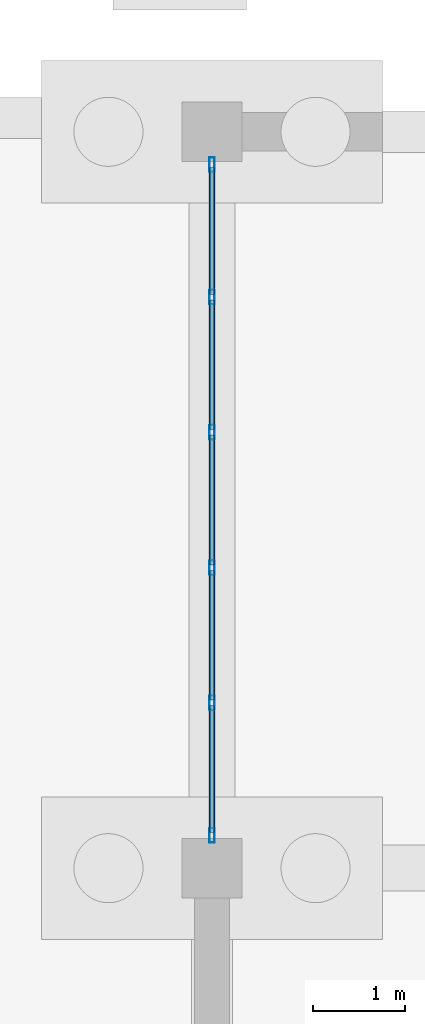
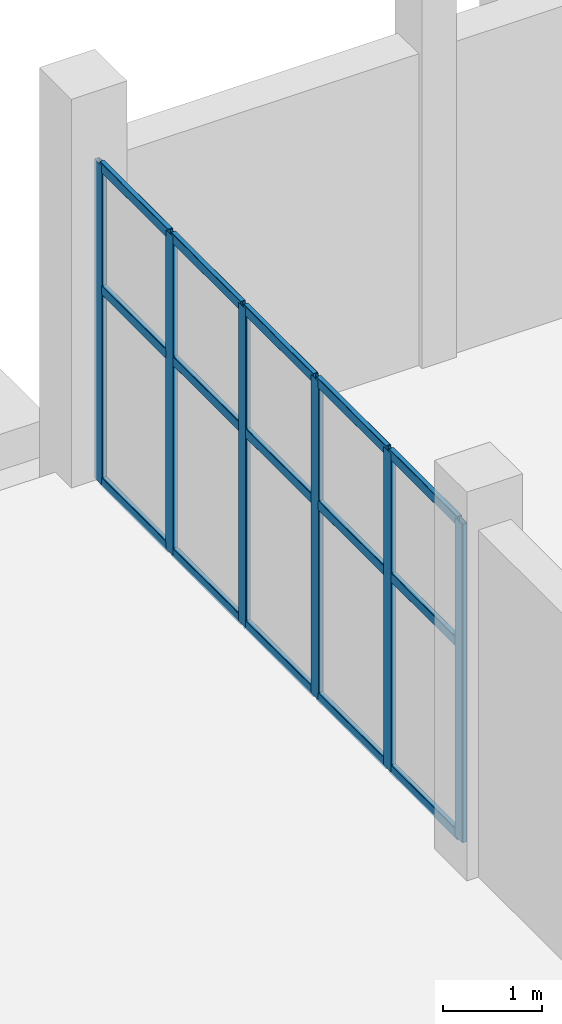
# One storey, part 21 of 52: 21 members, 1 element without a shape of its own.
"""IFC4 building model written with IfcOpenShell, lengths in metres."""

from ifc_helpers import new_model, si_unit, direction, frame, origin, origin_2d, place, context, subcontext, project, spatial, hollow_rectangle, extrude, material, material_profile, profile_set, type_object, element, aggregate, save


model = new_model("IFC4")

# Units and contexts
model_context = context("Model", 3, precision=1e-05, world=origin(), true_north=direction((0.0, 1.0)))
body_context = subcontext(model_context, "Body", "Model", "MODEL_VIEW")
ifc_project = project(units=[si_unit("LENGTHUNIT", "METRE"), si_unit("AREAUNIT", "SQUARE_METRE"), si_unit("VOLUMEUNIT", "CUBIC_METRE"), si_unit("PLANEANGLEUNIT", "RADIAN"), si_unit("MASSUNIT", "GRAM", prefix="KILO")], contexts=[model_context])

# Site, building, storey
site_placement = place(None, origin())
site = spatial("IfcSite", under=ifc_project, at=site_placement, CompositionType="ELEMENT")
building_placement = place(site_placement, origin())
building = spatial("IfcBuilding", under=site, at=building_placement, Name="Luwemba Playhouse", CompositionType="ELEMENT")
storey_placement = place(building_placement, frame((0.0, 0.0, -4.800048828125)))
storey = spatial("IfcBuildingStorey", under=building, at=storey_placement, Name="B1", CompositionType="ELEMENT", Elevation=-4.800048828125)

# Curtain wall, members
ifc_material_1 = material(Name="Solar-control double glazing", Category="glass")
curtain_wall_type = type_object("IfcCurtainWallType", Name="CW-CW04", PredefinedType="USERDEFINED", material=ifc_material_1)
curtain_wall_placement = place(storey_placement, origin())
curtain_wall = element("IfcCurtainWall", 1, at=curtain_wall_placement, inside=storey, type_object=curtain_wall_type, Name="B1 Sunken Forecourt curtain wall 004", ObjectType="UNITISED GLAZING", PredefinedType="USERDEFINED")
ifc_material_2 = material(Name="Aluminium 6063-T6", Category="aluminium")
ifc_material_profile_1 = material_profile(ifc_material_2, hollow_rectangle(XDim=0.06005859375, YDim=0.159912109375, WallThickness=0.00390625, InnerFilletRadius=0.006103515625, OuterFilletRadius=0.010009765625, at=origin_2d()))
ifc_profile_set_1 = profile_set([ifc_material_profile_1], Name="Aluminium 6063-T6")
member_type_1 = type_object("IfcMemberType", Name="CWM-M1", PredefinedType="MULLION", material=ifc_profile_set_1)
member_1_placement = place(storey_placement, frame((116.0, 19.35498046875, 0.0), z_axis=(0.0, 0.0, 1.0), x_axis=(-1.0, 0.0, 0.0)))
member_1 = element("IfcMember", 2, at=member_1_placement, type_object=member_type_1, Name="CW04 mullion 1", PredefinedType="MULLION", context=body_context, shape_type="SweptSolid", body=[
    extrude(hollow_rectangle(XDim=0.06005859375, YDim=0.159912109375, WallThickness=0.00390625, InnerFilletRadius=0.006103515625, OuterFilletRadius=0.010009765625, at=origin_2d()), origin(), (0.0, 0.0, 1.0), 3.93505859375),
])
member_2_placement = place(storey_placement, frame((116.0, 20.794921875, 0.0), z_axis=(0.0, 0.0, 1.0), x_axis=(-1.0, 0.0, 0.0)))
member_2 = element("IfcMember", 3, at=member_2_placement, type_object=member_type_1, Name="CW04 mullion 2", PredefinedType="MULLION", context=body_context, shape_type="SweptSolid", body=[
    extrude(hollow_rectangle(XDim=0.06005859375, YDim=0.159912109375, WallThickness=0.00390625, InnerFilletRadius=0.006103515625, OuterFilletRadius=0.010009765625, at=origin_2d()), origin(), (0.0, 0.0, 1.0), 3.93505859375),
])
member_3_placement = place(storey_placement, frame((116.0, 22.264892578125, 0.0), z_axis=(0.0, 0.0, 1.0), x_axis=(-1.0, 0.0, 0.0)))
member_3 = element("IfcMember", 4, at=member_3_placement, type_object=member_type_1, Name="CW04 mullion 3", PredefinedType="MULLION", context=body_context, shape_type="SweptSolid", body=[
    extrude(hollow_rectangle(XDim=0.06005859375, YDim=0.159912109375, WallThickness=0.00390625, InnerFilletRadius=0.006103515625, OuterFilletRadius=0.010009765625, at=origin_2d()), origin(), (0.0, 0.0, 1.0), 3.93505859375),
])
member_4_placement = place(storey_placement, frame((116.0, 23.735107421875, 0.0), z_axis=(0.0, 0.0, 1.0), x_axis=(-1.0, 0.0, 0.0)))
member_4 = element("IfcMember", 5, at=member_4_placement, type_object=member_type_1, Name="CW04 mullion 4", PredefinedType="MULLION", context=body_context, shape_type="SweptSolid", body=[
    extrude(hollow_rectangle(XDim=0.06005859375, YDim=0.159912109375, WallThickness=0.00390625, InnerFilletRadius=0.006103515625, OuterFilletRadius=0.010009765625, at=origin_2d()), origin(), (0.0, 0.0, 1.0), 3.93505859375),
])
member_5_placement = place(storey_placement, frame((116.0, 25.205078125, 0.0), z_axis=(0.0, 0.0, 1.0), x_axis=(-1.0, 0.0, 0.0)))
member_5 = element("IfcMember", 6, at=member_5_placement, type_object=member_type_1, Name="CW04 mullion 5", PredefinedType="MULLION", context=body_context, shape_type="SweptSolid", body=[
    extrude(hollow_rectangle(XDim=0.06005859375, YDim=0.159912109375, WallThickness=0.00390625, InnerFilletRadius=0.006103515625, OuterFilletRadius=0.010009765625, at=origin_2d()), origin(), (0.0, 0.0, 1.0), 3.93505859375),
])
member_6_placement = place(storey_placement, frame((116.0, 26.64501953125, 0.0), z_axis=(0.0, 0.0, 1.0), x_axis=(-1.0, 0.0, 0.0)))
member_6 = element("IfcMember", 7, at=member_6_placement, type_object=member_type_1, Name="CW04 mullion 6", PredefinedType="MULLION", context=body_context, shape_type="SweptSolid", body=[
    extrude(hollow_rectangle(XDim=0.06005859375, YDim=0.159912109375, WallThickness=0.00390625, InnerFilletRadius=0.006103515625, OuterFilletRadius=0.010009765625, at=origin_2d()), origin(), (0.0, 0.0, 1.0), 3.93505859375),
])
ifc_material_profile_2 = material_profile(ifc_material_2, hollow_rectangle(XDim=0.06005859375, YDim=0.1201171875, WallThickness=0.00390625, InnerFilletRadius=0.006103515625, OuterFilletRadius=0.010009765625, at=origin_2d()))
ifc_profile_set_2 = profile_set([ifc_material_profile_2], Name="Aluminium 6063-T6")
member_type_2 = type_object("IfcMemberType", Name="CWT-T1", PredefinedType="USERDEFINED", material=ifc_profile_set_2)
member_7_placement = place(storey_placement, frame((116.0, 19.385009765625, 0.030029296875), z_axis=(0.0, 1.0, 0.0), x_axis=(-1.0, 0.0, 0.0)))
member_7 = element("IfcMember", 8, at=member_7_placement, type_object=member_type_2, Name="CW04 transom 1.1", ObjectType="TRANSOM", PredefinedType="USERDEFINED", context=body_context, shape_type="SweptSolid", body=[
    extrude(hollow_rectangle(XDim=0.06005859375, YDim=0.1201171875, WallThickness=0.00390625, InnerFilletRadius=0.006103515625, OuterFilletRadius=0.010009765625, at=origin_2d()), origin(), (0.0, 0.0, 1.0), 1.3798828125),
])
member_8_placement = place(storey_placement, frame((116.0, 19.385009765625, 2.400146484375), z_axis=(0.0, 1.0, 0.0), x_axis=(-1.0, 0.0, 0.0)))
member_8 = element("IfcMember", 9, at=member_8_placement, type_object=member_type_2, Name="CW04 transom 1.2", ObjectType="TRANSOM", PredefinedType="USERDEFINED", context=body_context, shape_type="SweptSolid", body=[
    extrude(hollow_rectangle(XDim=0.06005859375, YDim=0.1201171875, WallThickness=0.00390625, InnerFilletRadius=0.006103515625, OuterFilletRadius=0.010009765625, at=origin_2d()), origin(), (0.0, 0.0, 1.0), 1.3798828125),
])
member_9_placement = place(storey_placement, frame((116.0, 19.385009765625, 3.905029296875), z_axis=(0.0, 1.0, 0.0), x_axis=(-1.0, 0.0, 0.0)))
member_9 = element("IfcMember", 10, at=member_9_placement, type_object=member_type_2, Name="CW04 transom 1.3", ObjectType="TRANSOM", PredefinedType="USERDEFINED", context=body_context, shape_type="SweptSolid", body=[
    extrude(hollow_rectangle(XDim=0.06005859375, YDim=0.1201171875, WallThickness=0.00390625, InnerFilletRadius=0.006103515625, OuterFilletRadius=0.010009765625, at=origin_2d()), origin(), (0.0, 0.0, 1.0), 1.3798828125),
])
member_10_placement = place(storey_placement, frame((116.0, 20.824951171875, 0.030029296875), z_axis=(0.0, 1.0, 0.0), x_axis=(-1.0, 0.0, 0.0)))
member_10 = element("IfcMember", 11, at=member_10_placement, type_object=member_type_2, Name="CW04 transom 2.1", ObjectType="TRANSOM", PredefinedType="USERDEFINED", context=body_context, shape_type="SweptSolid", body=[
    extrude(hollow_rectangle(XDim=0.06005859375, YDim=0.1201171875, WallThickness=0.00390625, InnerFilletRadius=0.006103515625, OuterFilletRadius=0.010009765625, at=origin_2d()), origin(), (0.0, 0.0, 1.0), 1.41015625),
])
member_11_placement = place(storey_placement, frame((116.0, 20.824951171875, 2.400146484375), z_axis=(0.0, 1.0, 0.0), x_axis=(-1.0, 0.0, 0.0)))
member_11 = element("IfcMember", 12, at=member_11_placement, type_object=member_type_2, Name="CW04 transom 2.2", ObjectType="TRANSOM", PredefinedType="USERDEFINED", context=body_context, shape_type="SweptSolid", body=[
    extrude(hollow_rectangle(XDim=0.06005859375, YDim=0.1201171875, WallThickness=0.00390625, InnerFilletRadius=0.006103515625, OuterFilletRadius=0.010009765625, at=origin_2d()), origin(), (0.0, 0.0, 1.0), 1.41015625),
])
member_12_placement = place(storey_placement, frame((116.0, 20.824951171875, 3.905029296875), z_axis=(0.0, 1.0, 0.0), x_axis=(-1.0, 0.0, 0.0)))
member_12 = element("IfcMember", 13, at=member_12_placement, type_object=member_type_2, Name="CW04 transom 2.3", ObjectType="TRANSOM", PredefinedType="USERDEFINED", context=body_context, shape_type="SweptSolid", body=[
    extrude(hollow_rectangle(XDim=0.06005859375, YDim=0.1201171875, WallThickness=0.00390625, InnerFilletRadius=0.006103515625, OuterFilletRadius=0.010009765625, at=origin_2d()), origin(), (0.0, 0.0, 1.0), 1.41015625),
])
member_13_placement = place(storey_placement, frame((116.0, 22.294921875, 0.030029296875), z_axis=(0.0, 1.0, 0.0), x_axis=(-1.0, 0.0, 0.0)))
member_13 = element("IfcMember", 14, at=member_13_placement, type_object=member_type_2, Name="CW04 transom 3.1", ObjectType="TRANSOM", PredefinedType="USERDEFINED", context=body_context, shape_type="SweptSolid", body=[
    extrude(hollow_rectangle(XDim=0.06005859375, YDim=0.1201171875, WallThickness=0.00390625, InnerFilletRadius=0.006103515625, OuterFilletRadius=0.010009765625, at=origin_2d()), origin(), (0.0, 0.0, 1.0), 1.41015625),
])
member_14_placement = place(storey_placement, frame((116.0, 22.294921875, 2.400146484375), z_axis=(0.0, 1.0, 0.0), x_axis=(-1.0, 0.0, 0.0)))
member_14 = element("IfcMember", 15, at=member_14_placement, type_object=member_type_2, Name="CW04 transom 3.2", ObjectType="TRANSOM", PredefinedType="USERDEFINED", context=body_context, shape_type="SweptSolid", body=[
    extrude(hollow_rectangle(XDim=0.06005859375, YDim=0.1201171875, WallThickness=0.00390625, InnerFilletRadius=0.006103515625, OuterFilletRadius=0.010009765625, at=origin_2d()), origin(), (0.0, 0.0, 1.0), 1.41015625),
])
member_15_placement = place(storey_placement, frame((116.0, 22.294921875, 3.905029296875), z_axis=(0.0, 1.0, 0.0), x_axis=(-1.0, 0.0, 0.0)))
member_15 = element("IfcMember", 16, at=member_15_placement, type_object=member_type_2, Name="CW04 transom 3.3", ObjectType="TRANSOM", PredefinedType="USERDEFINED", context=body_context, shape_type="SweptSolid", body=[
    extrude(hollow_rectangle(XDim=0.06005859375, YDim=0.1201171875, WallThickness=0.00390625, InnerFilletRadius=0.006103515625, OuterFilletRadius=0.010009765625, at=origin_2d()), origin(), (0.0, 0.0, 1.0), 1.41015625),
])
member_16_placement = place(storey_placement, frame((116.0, 23.764892578125, 0.030029296875), z_axis=(0.0, 1.0, 0.0), x_axis=(-1.0, 0.0, 0.0)))
member_16 = element("IfcMember", 17, at=member_16_placement, type_object=member_type_2, Name="CW04 transom 4.1", ObjectType="TRANSOM", PredefinedType="USERDEFINED", context=body_context, shape_type="SweptSolid", body=[
    extrude(hollow_rectangle(XDim=0.06005859375, YDim=0.1201171875, WallThickness=0.00390625, InnerFilletRadius=0.006103515625, OuterFilletRadius=0.010009765625, at=origin_2d()), origin(), (0.0, 0.0, 1.0), 1.41015625),
])
member_17_placement = place(storey_placement, frame((116.0, 23.764892578125, 2.400146484375), z_axis=(0.0, 1.0, 0.0), x_axis=(-1.0, 0.0, 0.0)))
member_17 = element("IfcMember", 18, at=member_17_placement, type_object=member_type_2, Name="CW04 transom 4.2", ObjectType="TRANSOM", PredefinedType="USERDEFINED", context=body_context, shape_type="SweptSolid", body=[
    extrude(hollow_rectangle(XDim=0.06005859375, YDim=0.1201171875, WallThickness=0.00390625, InnerFilletRadius=0.006103515625, OuterFilletRadius=0.010009765625, at=origin_2d()), origin(), (0.0, 0.0, 1.0), 1.41015625),
])
member_18_placement = place(storey_placement, frame((116.0, 23.764892578125, 3.905029296875), z_axis=(0.0, 1.0, 0.0), x_axis=(-1.0, 0.0, 0.0)))
member_18 = element("IfcMember", 19, at=member_18_placement, type_object=member_type_2, Name="CW04 transom 4.3", ObjectType="TRANSOM", PredefinedType="USERDEFINED", context=body_context, shape_type="SweptSolid", body=[
    extrude(hollow_rectangle(XDim=0.06005859375, YDim=0.1201171875, WallThickness=0.00390625, InnerFilletRadius=0.006103515625, OuterFilletRadius=0.010009765625, at=origin_2d()), origin(), (0.0, 0.0, 1.0), 1.41015625),
])
member_19_placement = place(storey_placement, frame((116.0, 25.235107421875, 0.030029296875), z_axis=(0.0, 1.0, 0.0), x_axis=(-1.0, 0.0, 0.0)))
member_19 = element("IfcMember", 20, at=member_19_placement, type_object=member_type_2, Name="CW04 transom 5.1", ObjectType="TRANSOM", PredefinedType="USERDEFINED", context=body_context, shape_type="SweptSolid", body=[
    extrude(hollow_rectangle(XDim=0.06005859375, YDim=0.1201171875, WallThickness=0.00390625, InnerFilletRadius=0.006103515625, OuterFilletRadius=0.010009765625, at=origin_2d()), origin(), (0.0, 0.0, 1.0), 1.3798828125),
])
member_20_placement = place(storey_placement, frame((116.0, 25.235107421875, 2.400146484375), z_axis=(0.0, 1.0, 0.0), x_axis=(-1.0, 0.0, 0.0)))
member_20 = element("IfcMember", 21, at=member_20_placement, type_object=member_type_2, Name="CW04 transom 5.2", ObjectType="TRANSOM", PredefinedType="USERDEFINED", context=body_context, shape_type="SweptSolid", body=[
    extrude(hollow_rectangle(XDim=0.06005859375, YDim=0.1201171875, WallThickness=0.00390625, InnerFilletRadius=0.006103515625, OuterFilletRadius=0.010009765625, at=origin_2d()), origin(), (0.0, 0.0, 1.0), 1.3798828125),
])
member_21_placement = place(storey_placement, frame((116.0, 25.235107421875, 3.905029296875), z_axis=(0.0, 1.0, 0.0), x_axis=(-1.0, 0.0, 0.0)))
member_21 = element("IfcMember", 22, at=member_21_placement, type_object=member_type_2, Name="CW04 transom 5.3", ObjectType="TRANSOM", PredefinedType="USERDEFINED", context=body_context, shape_type="SweptSolid", body=[
    extrude(hollow_rectangle(XDim=0.06005859375, YDim=0.1201171875, WallThickness=0.00390625, InnerFilletRadius=0.006103515625, OuterFilletRadius=0.010009765625, at=origin_2d()), origin(), (0.0, 0.0, 1.0), 1.3798828125),
])
aggregate(curtain_wall, [member_1, member_2, member_3, member_4, member_5, member_6, member_7, member_8, member_9, member_10, member_11, member_12, member_13, member_14, member_15, member_16, member_17, member_18, member_19, member_20, member_21])

save(model, "model.ifc")
